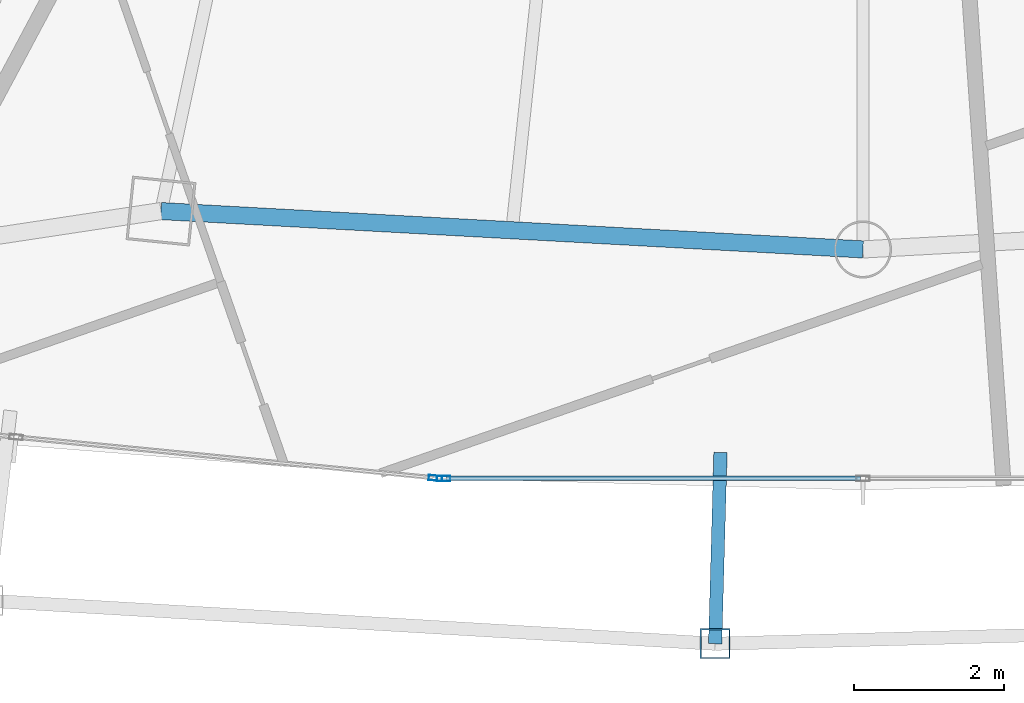
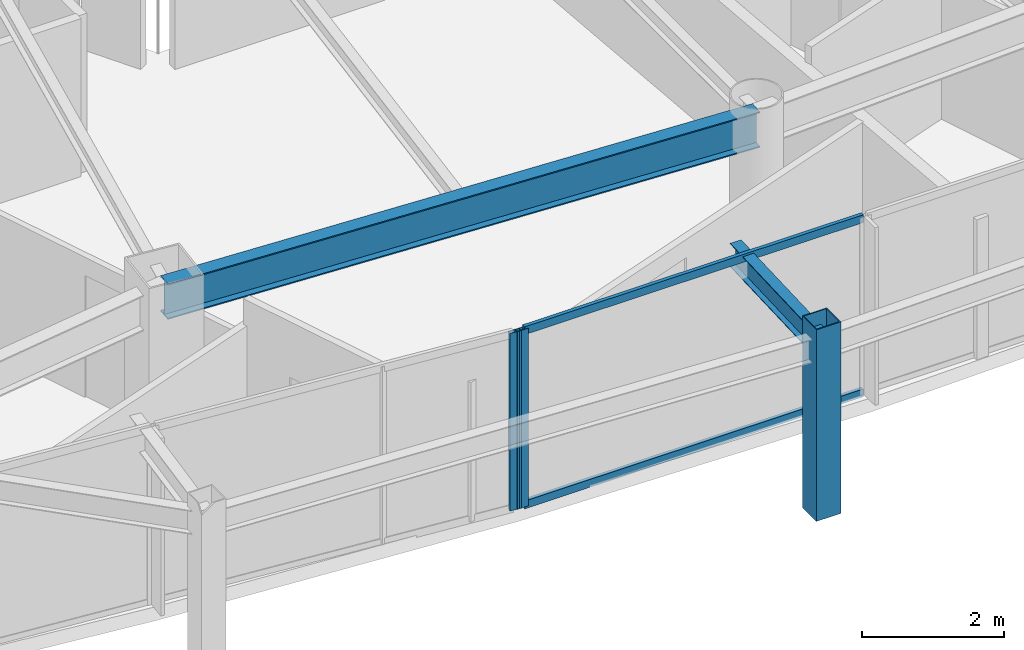
# One storey, part 7 of 29: 5 members, 2 beams, 2 elements without a shape of their own.
"""IFC4 building model written with IfcOpenShell, lengths in metres."""

from ifc_helpers import new_model, si_unit, direction, frame, origin, origin_2d, place, context, subcontext, project, spatial, hollow_rectangle, i_section, extrude, material, layer, layer_set, material_profile, profile_set, type_object, element, aggregate, save


model = new_model("IFC4")

# Units and contexts
model_context = context("Model", 3, precision=1e-05, world=origin(), true_north=direction((0.0, 1.0)))
body_context = subcontext(model_context, "Body", "Model", "MODEL_VIEW")
ifc_project = project(units=[si_unit("LENGTHUNIT", "METRE"), si_unit("AREAUNIT", "SQUARE_METRE"), si_unit("VOLUMEUNIT", "CUBIC_METRE"), si_unit("PLANEANGLEUNIT", "RADIAN"), si_unit("MASSUNIT", "GRAM", prefix="KILO")], contexts=[model_context])

# Site, building, storey
site_placement = place(None, origin())
site = spatial("IfcSite", under=ifc_project, at=site_placement, CompositionType="ELEMENT")
building_placement = place(site_placement, origin())
building = spatial("IfcBuilding", under=site, at=building_placement, Name="Orvanel Arch Residences", CompositionType="ELEMENT")
storey_placement = place(building_placement, frame((0.0, 0.0, 160.550048828125)))
storey = spatial("IfcBuildingStorey", under=building, at=storey_placement, Name="L45", CompositionType="ELEMENT", Elevation=160.550048828125)

# Curtain wall, member
ifc_material_1 = material(Name="Bronze-anodised aluminium AA6063-T6", Category="aluminium")
ifc_layer = layer(ifc_material_1, 0.179931640625)
ifc_layer_set = layer_set([ifc_layer], Name="Bronze-anodised aluminium AA6063-T6")
curtain_wall_type = type_object("IfcCurtainWallType", Name="CW3-MID-SYS", PredefinedType="NOTDEFINED", material=ifc_layer_set)
curtain_wall_1_placement = place(storey_placement, origin())
curtain_wall_1 = element("IfcCurtainWall", 1, at=curtain_wall_1_placement, inside=storey, type_object=curtain_wall_type, Name="L45 CW3-MID-SYS Unitised Curtain Wall", PredefinedType="NOTDEFINED")
ifc_material_profile_1 = material_profile(ifc_material_1, hollow_rectangle(XDim=0.070068359375, YDim=0.179931640625, WallThickness=0.00439453125, at=origin_2d()), Name="ALU180x70x4.5")
ifc_profile_set_1 = profile_set([ifc_material_profile_1], Name="Bronze-anodised aluminium AA6063-T6")
member_type_1 = type_object("IfcMemberType", Name="MUL-180x70", PredefinedType="MULLION", material=ifc_profile_set_1)
member_1_placement = place(storey_placement, frame((27.30419921875, 3.79833984375, 0.0), z_axis=(0.0, 0.0, 1.0), x_axis=(0.097286031613, 0.995256463457, 0.0)))
member_1 = element("IfcMember", 2, at=member_1_placement, type_object=member_type_1, Name="CW-S3 mullion 3", PredefinedType="MULLION", context=body_context, shape_type="SweptSolid", body=[
    extrude(hollow_rectangle(XDim=0.070068359375, YDim=0.179931640625, WallThickness=0.00439453125, at=origin_2d()), origin(), (0.0, 0.0, 1.0), 3.06005859375),
])
aggregate(curtain_wall_1, [member_1])

curtain_wall_2_placement = place(storey_placement, origin())
curtain_wall_2 = element("IfcCurtainWall", 3, at=curtain_wall_2_placement, inside=storey, type_object=curtain_wall_type, Name="L45 CW3-MID-SYS Unitised Curtain Wall", PredefinedType="NOTDEFINED")
member_2_placement = place(storey_placement, frame((27.4140625, 3.79296875, 0.0), z_axis=(0.0, 0.0, 1.0), x_axis=(0.0, 1.0, 0.0)))
member_2 = element("IfcMember", 4, at=member_2_placement, type_object=member_type_1, Name="CW-S3 mullion 1", PredefinedType="MULLION", context=body_context, shape_type="SweptSolid", body=[
    extrude(hollow_rectangle(XDim=0.070068359375, YDim=0.179931640625, WallThickness=0.00439453125, at=origin_2d()), origin(), (0.0, 0.0, 1.0), 3.06005859375),
])

# Beams
ifc_material_2 = material(Name="Structural steel AS/NZS 3679.1 Grade 300 (300 MPa)", Category="steel")
ifc_material_profile_2 = material_profile(ifc_material_2, i_section(OverallWidth=0.177978515625, OverallDepth=0.406005859375, WebThickness=0.0078125, FlangeThickness=0.0126953125, at=origin_2d()), Name="410UB59.7")
ifc_profile_set_2 = profile_set([ifc_material_profile_2], Name="Structural steel AS/NZS 3679.1 Grade 300 (300 MPa)")
beam_type_1 = type_object("IfcBeamType", Name="OB-410UB-EXT", PredefinedType="SPANDREL", material=ifc_profile_set_2)
beam_1_placement = place(storey_placement, frame((31.10205078125, 4.139892578125, 2.85693359375), z_axis=(-0.027862741543, -0.999611758451, 0.0), x_axis=(0.999611758451, -0.027862741543, 0.0)))
element("IfcBeam", 5, at=beam_1_placement, inside=storey, type_object=beam_type_1, Name="L45 Outer Frame Radial Tie Beam 06", PredefinedType="SPANDREL", context=body_context, shape_type="SweptSolid", body=[
    extrude(i_section(OverallWidth=0.177978515625, OverallDepth=0.406005859375, WebThickness=0.0078125, FlangeThickness=0.0126953125, at=origin_2d()), origin(), (0.0, 0.0, 1.0), 2.5498046875),
])
ifc_material_profile_3 = material_profile(ifc_material_2, i_section(OverallWidth=0.22900390625, OverallDepth=0.612060546875, WebThickness=0.011962890625, FlangeThickness=0.01953125, at=origin_2d()), Name="610UB125")
ifc_profile_set_3 = profile_set([ifc_material_profile_3], Name="Structural steel AS/NZS 3679.1 Grade 300 (300 MPa)")
beam_type_2 = type_object("IfcBeamType", Name="SP-610UB", PredefinedType="SPANDREL", material=ifc_profile_set_3)
beam_2_placement = place(storey_placement, frame((23.64892578125, 7.35498046875, 2.75390625), z_axis=(0.998510315598, -0.054563262768, 0.0), x_axis=(0.054563262768, 0.998510315598, 0.0)))
element("IfcBeam", 6, at=beam_2_placement, inside=storey, type_object=beam_type_2, Name="L45 Perimeter Spandrel Beam 05", PredefinedType="SPANDREL", context=body_context, shape_type="SweptSolid", body=[
    extrude(i_section(OverallWidth=0.22900390625, OverallDepth=0.612060546875, WebThickness=0.011962890625, FlangeThickness=0.01953125, at=origin_2d()), origin(), (0.0, 0.0, 1.0), 9.364990234375),
])

# Member
ifc_material_3 = material(Name="Structural steel AS/NZS 1163 C450L0 (Grade 450)", Category="steel")
ifc_material_profile_4 = material_profile(ifc_material_3, hollow_rectangle(XDim=0.39990234375, YDim=0.39990234375, WallThickness=0.01611328125, at=origin_2d()), Name="SHS400x400x16")
ifc_profile_set_4 = profile_set([ifc_material_profile_4], Name="Structural steel AS/NZS 1163 C450L0 (Grade 450)")
member_type_2 = type_object("IfcMemberType", Name="ST-400SHS-EXT", PredefinedType="STRUT", material=ifc_profile_set_4)
member_3_placement = place(storey_placement, frame((31.031005859375, 1.591064453125, 0.0), z_axis=(0.0, 0.0, 1.0), x_axis=(1.0, 0.0, 0.0)))
element("IfcMember", 7, at=member_3_placement, inside=storey, type_object=member_type_2, Name="L45 Outer Perimeter Frame Post 06", PredefinedType="STRUT", context=body_context, shape_type="SweptSolid", body=[
    extrude(hollow_rectangle(XDim=0.39990234375, YDim=0.39990234375, WallThickness=0.01611328125, at=origin_2d()), origin(), (0.0, 0.0, 1.0), 3.300048828125),
])

ifc_material_profile_5 = material_profile(ifc_material_1, hollow_rectangle(XDim=0.06005859375, YDim=0.135009765625, WallThickness=0.00390625, at=origin_2d()), Name="ALU135x60x4")
ifc_profile_set_5 = profile_set([ifc_material_profile_5], Name="Bronze-anodised aluminium AA6063-T6")
member_type_3 = type_object("IfcMemberType", Name="TRN-135x60", PredefinedType="USERDEFINED", material=ifc_profile_set_5)
member_4_placement = place(storey_placement, frame((27.448974609375, 3.79296875, 0.030029296875), z_axis=(1.0, 0.0, 0.0), x_axis=(0.0, 1.0, 0.0)))
member_4 = element("IfcMember", 8, at=member_4_placement, type_object=member_type_3, Name="CW-S3 transom 1.1", ObjectType="TRANSOM", PredefinedType="USERDEFINED", context=body_context, shape_type="SweptSolid", body=[
    extrude(hollow_rectangle(XDim=0.06005859375, YDim=0.135009765625, WallThickness=0.00390625, at=origin_2d()), origin(), (0.0, 0.0, 1.0), 5.51611328125),
])

member_5_placement = place(storey_placement, frame((27.448974609375, 3.79296875, 3.030029296875), z_axis=(1.0, 0.0, 0.0), x_axis=(0.0, 1.0, 0.0)))
member_5 = element("IfcMember", 9, at=member_5_placement, type_object=member_type_3, Name="CW-S3 transom 1.2", ObjectType="TRANSOM", PredefinedType="USERDEFINED", context=body_context, shape_type="SweptSolid", body=[
    extrude(hollow_rectangle(XDim=0.06005859375, YDim=0.135009765625, WallThickness=0.00390625, at=origin_2d()), origin(), (0.0, 0.0, 1.0), 5.51611328125),
])

aggregate(curtain_wall_2, [member_2, member_4, member_5])

save(model, "model.ifc")
